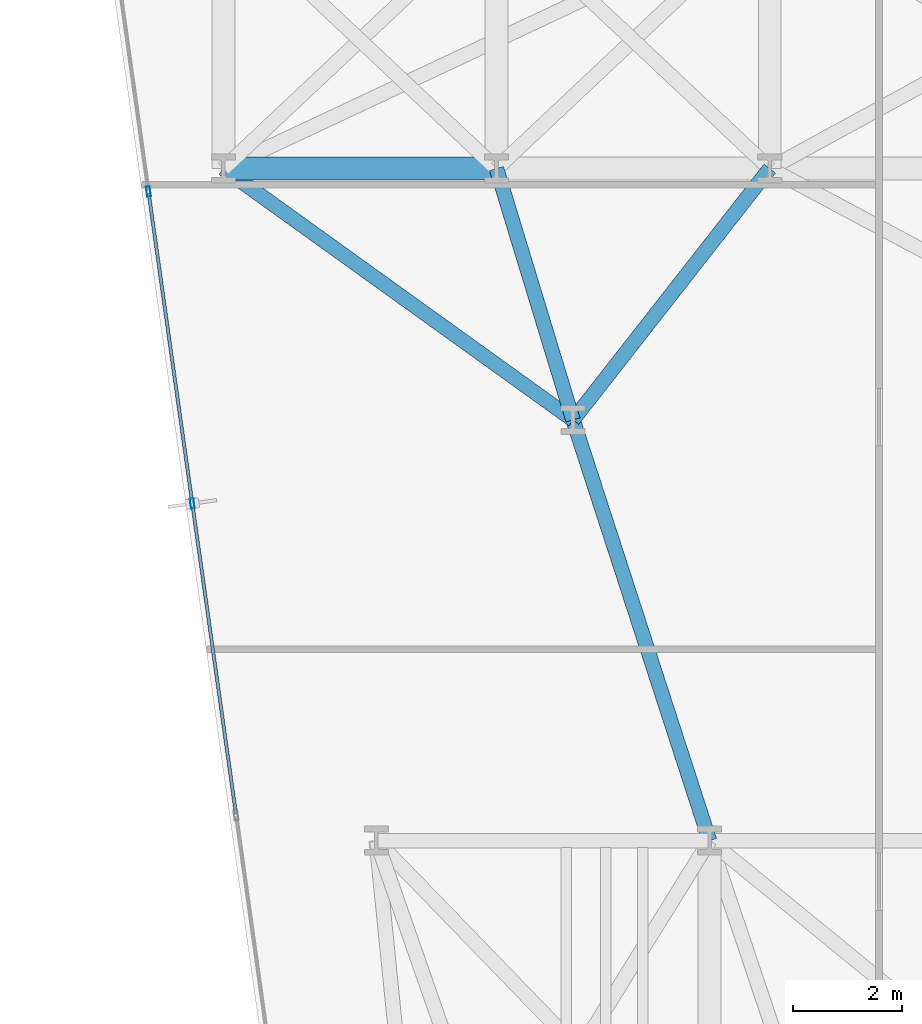
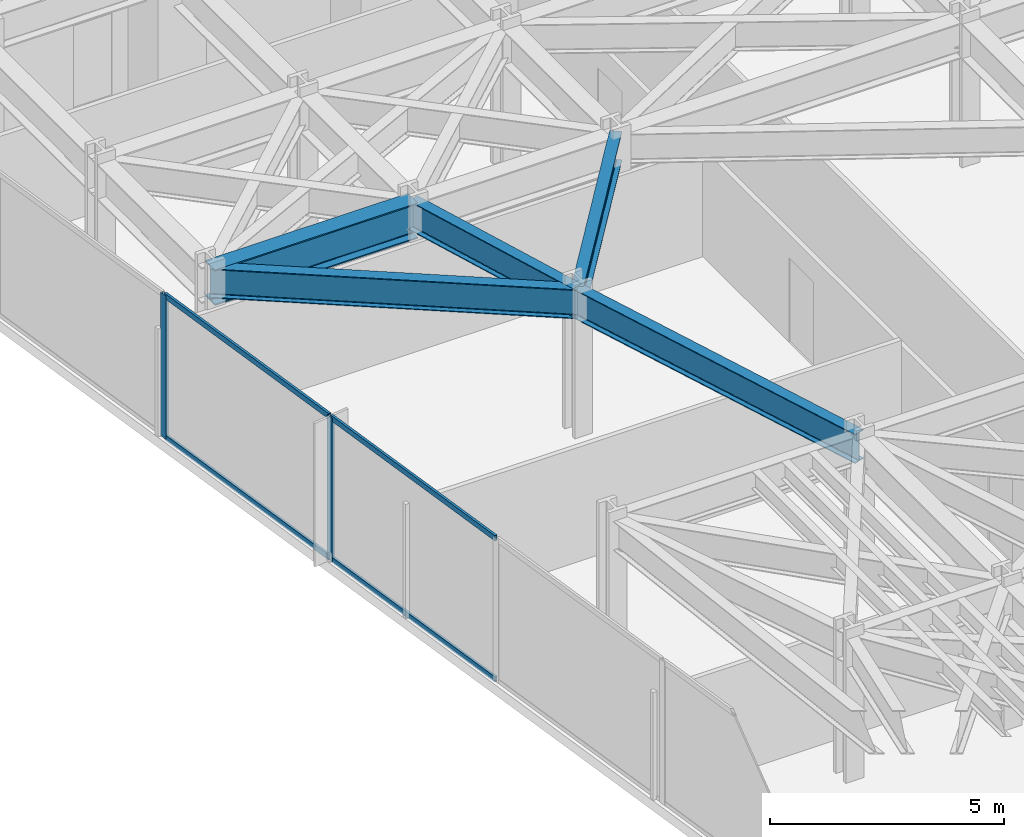
# One storey, part 7 of 25: 6 members, 5 beams, 1 element without a shape of its own.
"""IFC4 building model written with IfcOpenShell, lengths in metres."""

from ifc_helpers import new_model, si_unit, direction, frame, origin, origin_2d, place, context, subcontext, project, spatial, hollow_rectangle, i_section, extrude, material, layer, layer_set, material_profile, profile_set, type_object, element, aggregate, save


model = new_model("IFC4")

# Units and contexts
model_context = context("Model", 3, precision=1e-05, world=origin(), true_north=direction((0.0, 1.0)))
body_context = subcontext(model_context, "Body", "Model", "MODEL_VIEW")
ifc_project = project(units=[si_unit("LENGTHUNIT", "METRE"), si_unit("AREAUNIT", "SQUARE_METRE"), si_unit("VOLUMEUNIT", "CUBIC_METRE"), si_unit("PLANEANGLEUNIT", "RADIAN"), si_unit("MASSUNIT", "GRAM", prefix="KILO")], contexts=[model_context])

# Site, building, storey
site_placement = place(None, origin())
site = spatial("IfcSite", under=ifc_project, at=site_placement, CompositionType="ELEMENT")
building_placement = place(site_placement, origin())
building = spatial("IfcBuilding", under=site, at=building_placement, Name="Kravanh Interchange Tower", CompositionType="ELEMENT")
storey_placement = place(building_placement, frame((0.0, 0.0, 33.5)))
storey = spatial("IfcBuildingStorey", under=building, at=storey_placement, Name="L07", CompositionType="ELEMENT", Elevation=33.5)

# Curtain wall, members
ifc_material_1 = material(Name="Anodised Bronze Aluminium", Category="aluminium")
ifc_layer = layer(ifc_material_1, 0.179931640625)
ifc_layer_set = layer_set([ifc_layer], Name="Unitised Curtain Wall System CW-Z1 Lower Office")
curtain_wall_type = type_object("IfcCurtainWallType", Name="Unitised Curtain Wall System CW-Z1 Lower Office", PredefinedType="NOTDEFINED", material=ifc_layer_set)
curtain_wall_placement = place(storey_placement, origin())
curtain_wall = element("IfcCurtainWall", 1, at=curtain_wall_placement, inside=storey, type_object=curtain_wall_type, Name="L07 Unitised Curtain Wall CW-L07-01", PredefinedType="NOTDEFINED")
ifc_material_2 = material(Name="Anodised Bronze Aluminium", Category="aluminium")
ifc_material_profile_1 = material_profile(ifc_material_2, hollow_rectangle(XDim=0.070068359375, YDim=0.179931640625, WallThickness=0.00390625, at=origin_2d()), Name="ALU70X180X4")
ifc_profile_set_1 = profile_set([ifc_material_profile_1], Name="Anodised Bronze Aluminium")
member_type_1 = type_object("IfcMemberType", Name="Curtain Wall Mullion ALU70X180X4 Bronze", PredefinedType="MULLION", material=ifc_profile_set_1)
member_1_placement = place(storey_placement, frame((8.03271484375, 20.66845703125, 0.0), z_axis=(0.0, 0.0, 1.0), x_axis=(-0.990267585682, -0.139176538065, 0.0)))
member_1 = element("IfcMember", 2, at=member_1_placement, type_object=member_type_1, Name="CW-Z1 mullion 4", PredefinedType="MULLION", context=body_context, shape_type="SweptSolid", body=[
    extrude(hollow_rectangle(XDim=0.070068359375, YDim=0.179931640625, WallThickness=0.00390625, at=origin_2d()), origin(), (0.0, 0.0, 1.0), 3.739990234375),
])
member_2_placement = place(storey_placement, frame((7.22998046875, 26.37890625, 0.0), z_axis=(0.0, 0.0, 1.0), x_axis=(-0.990267585682, -0.139176538065, 0.0)))
member_2 = element("IfcMember", 3, at=member_2_placement, type_object=member_type_1, Name="CW-Z1 mullion 5", PredefinedType="MULLION", context=body_context, shape_type="SweptSolid", body=[
    extrude(hollow_rectangle(XDim=0.070068359375, YDim=0.179931640625, WallThickness=0.00390625, at=origin_2d()), origin(), (0.0, 0.0, 1.0), 3.739990234375),
])
ifc_material_3 = material(Name="Anodised Bronze Aluminium", Category="aluminium")
ifc_material_profile_2 = material_profile(ifc_material_3, hollow_rectangle(XDim=0.06005859375, YDim=0.139892578125, WallThickness=0.00390625, at=origin_2d()), Name="ALU60X140X4")
ifc_profile_set_2 = profile_set([ifc_material_profile_2], Name="Anodised Bronze Aluminium")
member_type_2 = type_object("IfcMemberType", Name="Curtain Wall Transom ALU60X140X4 Bronze", PredefinedType="USERDEFINED", material=ifc_profile_set_2)
member_3_placement = place(storey_placement, frame((8.830322265625, 14.992431640625, 0.030029296875), z_axis=(-0.139153051789, 0.990270886262, 0.0), x_axis=(-0.990270886262, -0.139153051789, 0.0)))
member_3 = element("IfcMember", 4, at=member_3_placement, type_object=member_type_2, Name="CW-Z1 transom 3.1", ObjectType="TRANSOM", PredefinedType="USERDEFINED", context=body_context, shape_type="SweptSolid", body=[
    extrude(hollow_rectangle(XDim=0.06005859375, YDim=0.139892578125, WallThickness=0.00390625, at=origin_2d()), origin(), (0.0, 0.0, 1.0), 5.69677734375),
])
member_4_placement = place(storey_placement, frame((8.830322265625, 14.992431640625, 3.7099609375), z_axis=(-0.139153051789, 0.990270886262, 0.0), x_axis=(-0.990270886262, -0.139153051789, 0.0)))
member_4 = element("IfcMember", 5, at=member_4_placement, type_object=member_type_2, Name="CW-Z1 transom 3.2", ObjectType="TRANSOM", PredefinedType="USERDEFINED", context=body_context, shape_type="SweptSolid", body=[
    extrude(hollow_rectangle(XDim=0.06005859375, YDim=0.139892578125, WallThickness=0.00390625, at=origin_2d()), origin(), (0.0, 0.0, 1.0), 5.69677734375),
])
member_5_placement = place(storey_placement, frame((8.02783203125, 20.703125, 0.030029296875), z_axis=(-0.139200984921, 0.990264149506, 0.0), x_axis=(-0.990264149506, -0.139200984921, 0.0)))
member_5 = element("IfcMember", 6, at=member_5_placement, type_object=member_type_2, Name="CW-Z1 transom 4.1", ObjectType="TRANSOM", PredefinedType="USERDEFINED", context=body_context, shape_type="SweptSolid", body=[
    extrude(hollow_rectangle(XDim=0.06005859375, YDim=0.139892578125, WallThickness=0.00390625, at=origin_2d()), origin(), (0.0, 0.0, 1.0), 5.696533203125),
])
member_6_placement = place(storey_placement, frame((8.02783203125, 20.703125, 3.7099609375), z_axis=(-0.139200984921, 0.990264149506, 0.0), x_axis=(-0.990264149506, -0.139200984921, 0.0)))
member_6 = element("IfcMember", 7, at=member_6_placement, type_object=member_type_2, Name="CW-Z1 transom 4.2", ObjectType="TRANSOM", PredefinedType="USERDEFINED", context=body_context, shape_type="SweptSolid", body=[
    extrude(hollow_rectangle(XDim=0.06005859375, YDim=0.139892578125, WallThickness=0.00390625, at=origin_2d()), origin(), (0.0, 0.0, 1.0), 5.696533203125),
])
aggregate(curtain_wall, [member_1, member_2, member_3, member_4, member_5, member_6])

# Beams
ifc_material_4 = material(Name="Structural Steel S355", Category="steel")
ifc_material_profile_3 = material_profile(ifc_material_4, i_section(OverallWidth=0.41796875, OverallDepth=0.927001953125, WebThickness=0.019287109375, FlangeThickness=0.031982421875, FilletRadius=0.028076171875, at=origin_2d()), Name="W36X231")
ifc_profile_set_3 = profile_set([ifc_material_profile_3], Name="Structural Steel S355")
beam_type_1 = type_object("IfcBeamType", Name="Floor Beam W36X231 Structural Steel S355", PredefinedType="BEAM", material=ifc_profile_set_3)
beam_1_placement = place(storey_placement, frame((8.60009765625, 26.800048828125, 3.276611328125), z_axis=(1.0, 0.0, 0.0), x_axis=(0.0, 1.0, 0.0)))
element("IfcBeam", 8, at=beam_1_placement, inside=storey, type_object=beam_type_1, Name="L07 Primary Floor Girder 67", PredefinedType="BEAM", context=body_context, shape_type="SweptSolid", body=[
    extrude(i_section(OverallWidth=0.41796875, OverallDepth=0.927001953125, WebThickness=0.019287109375, FlangeThickness=0.031982421875, FilletRadius=0.028076171875, at=origin_2d()), origin(), (0.0, 0.0, 1.0), 5.0),
])
ifc_material_5 = material(Name="Structural Steel S355", Category="steel")
ifc_material_profile_4 = material_profile(ifc_material_5, i_section(OverallWidth=0.26708984375, OverallDepth=0.761962890625, WebThickness=0.014404296875, FlangeThickness=0.021484375, FilletRadius=0.02490234375, at=origin_2d()), Name="W30X116")
ifc_profile_set_4 = profile_set([ifc_material_profile_4], Name="Structural Steel S355")
beam_type_2 = type_object("IfcBeamType", Name="Floor Spandrel W30X116 Structural Steel S355", PredefinedType="SPANDREL", material=ifc_profile_set_4)
beam_2_placement = place(storey_placement, frame((15.0, 22.199951171875, 3.35888671875), z_axis=(-0.291137370727, 0.956681259023, 0.0), x_axis=(-0.956681259023, -0.291137370727, 0.0)))
element("IfcBeam", 9, at=beam_2_placement, inside=storey, type_object=beam_type_2, Name="L07 Perimeter Spandrel 50", PredefinedType="SPANDREL", context=body_context, shape_type="SweptSolid", body=[
    extrude(i_section(OverallWidth=0.26708984375, OverallDepth=0.761962890625, WebThickness=0.014404296875, FlangeThickness=0.021484375, FilletRadius=0.02490234375, at=origin_2d()), origin(), (0.0, 0.0, 1.0), 4.808349609375),
])
beam_3_placement = place(storey_placement, frame((15.0, 22.199951171875, 3.35888671875), z_axis=(0.616310515553, 0.787503237085, 0.0), x_axis=(-0.787503237085, 0.616310515553, 0.0)))
element("IfcBeam", 10, at=beam_3_placement, inside=storey, type_object=beam_type_2, Name="L07 Perimeter Spandrel 51", PredefinedType="SPANDREL", context=body_context, shape_type="SweptSolid", body=[
    extrude(i_section(OverallWidth=0.26708984375, OverallDepth=0.761962890625, WebThickness=0.014404296875, FlangeThickness=0.021484375, FilletRadius=0.02490234375, at=origin_2d()), origin(), (0.0, 0.0, 1.0), 5.84130859375),
])
beam_4_placement = place(storey_placement, frame((15.0, 22.199951171875, 3.35888671875), z_axis=(-0.812005278585, 0.583650089994, 0.0), x_axis=(-0.583650089994, -0.812005278585, 0.0)))
element("IfcBeam", 11, at=beam_4_placement, inside=storey, type_object=beam_type_2, Name="L07 Perimeter Spandrel 52", PredefinedType="SPANDREL", context=body_context, shape_type="SweptSolid", body=[
    extrude(i_section(OverallWidth=0.26708984375, OverallDepth=0.761962890625, WebThickness=0.014404296875, FlangeThickness=0.021484375, FilletRadius=0.02490234375, at=origin_2d()), origin(), (0.0, 0.0, 1.0), 7.881591796875),
])
beam_5_placement = place(storey_placement, frame((15.0, 22.199951171875, 3.35888671875), z_axis=(0.30880852537, -0.951124226723, 0.0), x_axis=(0.951124226723, 0.30880852537, 0.0)))
element("IfcBeam", 12, at=beam_5_placement, inside=storey, type_object=beam_type_2, Name="L07 Perimeter Spandrel 53", PredefinedType="SPANDREL", context=body_context, shape_type="SweptSolid", body=[
    extrude(i_section(OverallWidth=0.26708984375, OverallDepth=0.761962890625, WebThickness=0.014404296875, FlangeThickness=0.021484375, FilletRadius=0.02490234375, at=origin_2d()), origin(), (0.0, 0.0, 1.0), 8.095703125),
])

save(model, "model.ifc")
